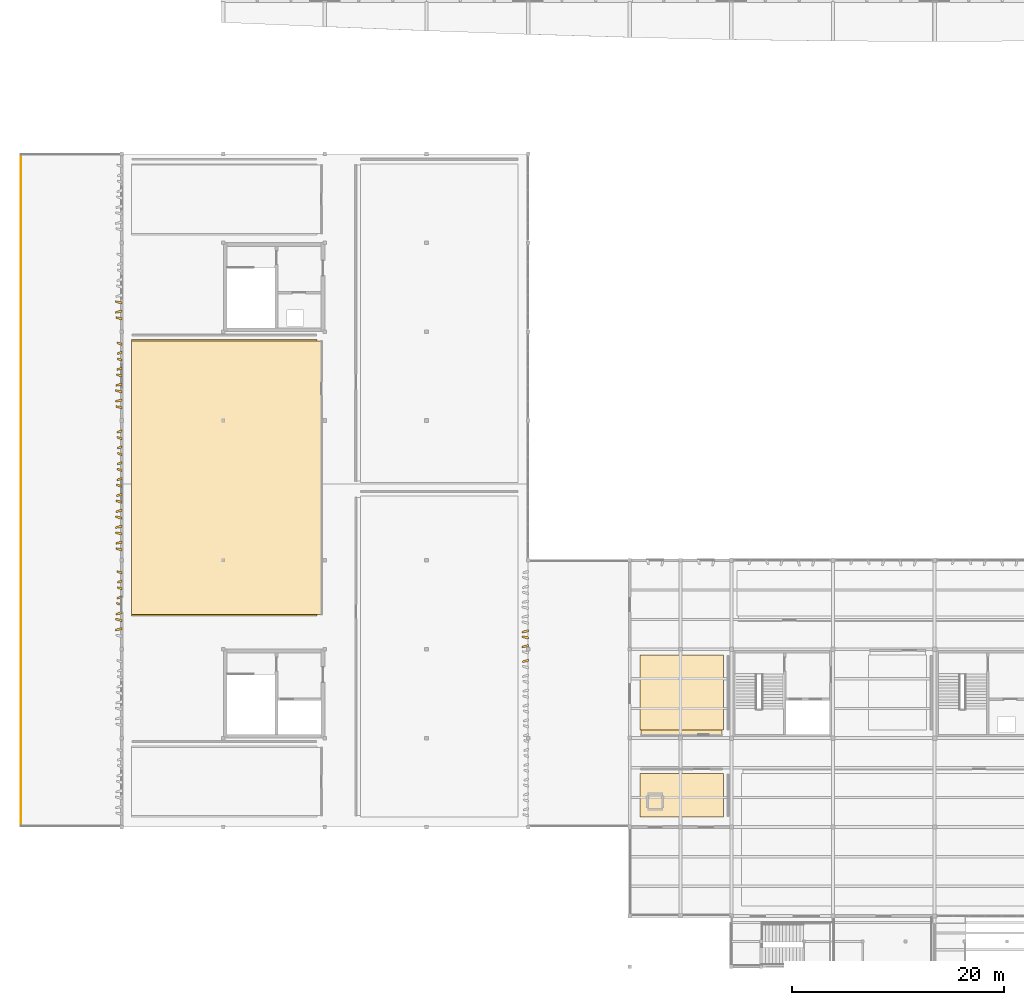
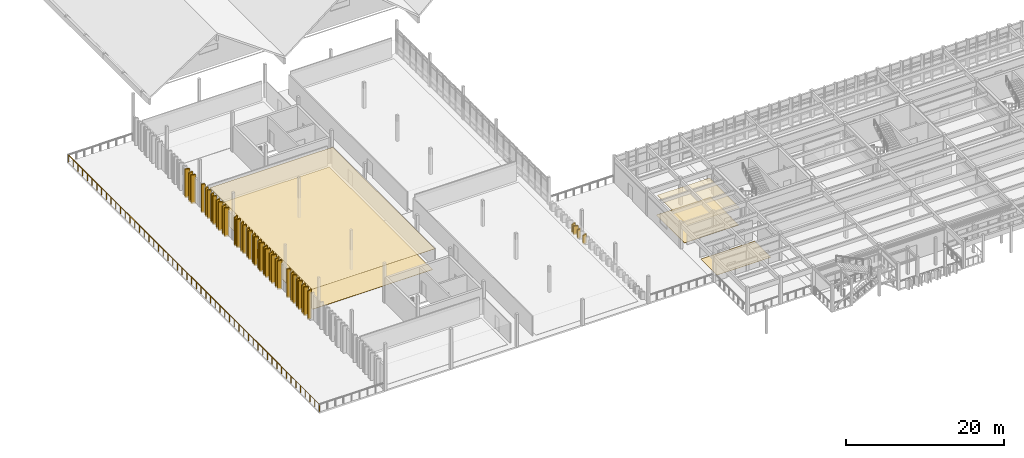
# One storey, part 36 of 42: 45 coverings, 1 railing.
"""IFC4 building model written with IfcOpenShell, lengths in metres."""

from ifc_helpers import new_model, si_unit, direction, frame, origin, origin_2d, place, context, subcontext, project, spatial, polyline, circle, outline, extrude, material, layer, layer_set, type_object, element, save


model = new_model("IFC4")

# Units and contexts
model_context = context("Model", 3, precision=1e-05, world=origin(), true_north=direction((0.0, 1.0)))
body_context = subcontext(model_context, "Body", "Model", "MODEL_VIEW")
ifc_project = project(units=[si_unit("LENGTHUNIT", "METRE"), si_unit("AREAUNIT", "SQUARE_METRE"), si_unit("VOLUMEUNIT", "CUBIC_METRE"), si_unit("PLANEANGLEUNIT", "RADIAN"), si_unit("MASSUNIT", "GRAM", prefix="KILO")], contexts=[model_context])

# Site, building, storey
site_placement = place(None, origin())
site = spatial("IfcSite", under=ifc_project, at=site_placement, CompositionType="ELEMENT")
building_placement = place(site_placement, origin())
building = spatial("IfcBuilding", under=site, at=building_placement, Name="Kolvemor Railside Polytechnic", CompositionType="ELEMENT")
storey_placement = place(building_placement, frame((0.0, 0.0, 14.39990234375)))
storey = spatial("IfcBuildingStorey", under=building, at=storey_placement, Name="L03", CompositionType="ELEMENT", Elevation=14.39990234375)

# Coverings
ifc_material_1 = material(Name="Perforated acoustic mineral-fibre and timber-slat ceiling", Category="wood")
ifc_layer_1 = layer(ifc_material_1, 0.030029296875, Name="COV-CEIL-2")
ifc_layer_set_1 = layer_set([ifc_layer_1], Name="Perforated acoustic mineral-fibre and timber-slat ceiling")
covering_type_1 = type_object("IfcCoveringType", Name="COV-CEIL-2", PredefinedType="CEILING", material=ifc_layer_set_1)
covering_1_placement = place(storey_placement, frame((0.0, 0.0, 3.0)))
element("IfcCovering", 1, at=covering_1_placement, inside=storey, type_object=covering_type_1, Name="Faculty of Mechanical Engineering Suite Acoustic Ceiling", PredefinedType="CEILING", context=body_context, shape_type="SweptSolid", body=[
    extrude(outline(polyline([(58.679931640625, 21.919921875), (66.320068359375, 21.919921875), (66.320068359375, 29.449951171875), (58.679931640625, 29.449951171875), (58.679931640625, 21.919921875)])), origin(), (0.0, 0.0, 1.0), 0.030029296875),
])
ifc_material_2 = material(Name="Perforated acoustic mineral-fibre and timber-slat ceiling", Category="wood")
ifc_layer_2 = layer(ifc_material_2, 0.0400390625, Name="COV-CEIL-4")
ifc_layer_set_2 = layer_set([ifc_layer_2], Name="Perforated acoustic mineral-fibre and timber-slat ceiling")
covering_type_2 = type_object("IfcCoveringType", Name="COV-CEIL-4", PredefinedType="CEILING", material=ifc_layer_set_2)
covering_2_placement = place(storey_placement, frame((0.0, 0.0, 2.989990234375)))
element("IfcCovering", 2, at=covering_2_placement, inside=storey, type_object=covering_type_2, Name="Seminar Room 302 Acoustic Ceiling", PredefinedType="CEILING", context=body_context, shape_type="SweptSolid", body=[
    extrude(outline(polyline([(10.550048828125, 33.280029296875), (28.47998046875, 33.280029296875), (28.47998046875, 59.1201171875), (10.550048828125, 59.1201171875), (10.550048828125, 33.280029296875)])), origin(), (0.0, 0.0, 1.0), 0.0400390625),
])
ifc_material_3 = material(Name="Champagne-bronze PVDF-anodised marine aluminium 5052-H32", Category="aluminium")
ifc_layer_3 = layer(ifc_material_3, 0.179931640625, Name="COV-FIN-CHAMP")
ifc_layer_set_3 = layer_set([ifc_layer_3], Name="Champagne-bronze PVDF-anodised marine aluminium 5052-H32")
covering_type_3 = type_object("IfcCoveringType", Name="COV-FIN-CHAMP", PredefinedType="CLADDING", material=ifc_layer_set_3)
covering_3_placement = place(storey_placement, frame((0.0, 0.0, -0.219970703125)))
element("IfcCovering", 3, at=covering_3_placement, inside=storey, type_object=covering_type_3, Name="Pleated Solar Fin L03-0818", PredefinedType="CLADDING", context=body_context, shape_type="SweptSolid", body=[
    extrude(outline(polyline([(48.034912109375, 31.864990234375), (48.034912109375, 31.635009765625), (47.43505859375, 31.530029296875), (47.43505859375, 31.68994140625), (48.034912109375, 31.864990234375)])), origin(), (0.0, 0.0, 1.0), 1.3701171875),
])
covering_4_placement = place(storey_placement, frame((0.0, 0.0, -0.219970703125)))
element("IfcCovering", 4, at=covering_4_placement, inside=storey, type_object=covering_type_3, Name="Pleated Solar Fin L03-0819", PredefinedType="CLADDING", context=body_context, shape_type="SweptSolid", body=[
    extrude(outline(polyline([(48.034912109375, 31.1650390625), (48.034912109375, 30.93505859375), (47.43798828125, 31.110107421875), (47.43798828125, 31.27001953125), (48.034912109375, 31.1650390625)])), origin(), (0.0, 0.0, 1.0), 1.3701171875),
])
covering_5_placement = place(storey_placement, frame((0.0, 0.0, -0.219970703125)))
element("IfcCovering", 5, at=covering_5_placement, inside=storey, type_object=covering_type_3, Name="Pleated Solar Fin L03-0820", PredefinedType="CLADDING", context=body_context, shape_type="SweptSolid", body=[
    extrude(outline(polyline([(48.034912109375, 30.465087890625), (48.034912109375, 30.235107421875), (47.44189453125, 30.1298828125), (47.44189453125, 30.2900390625), (48.034912109375, 30.465087890625)])), origin(), (0.0, 0.0, 1.0), 1.3701171875),
])
covering_6_placement = place(storey_placement, frame((0.0, 0.0, -0.219970703125)))
element("IfcCovering", 6, at=covering_6_placement, inside=storey, type_object=covering_type_3, Name="Pleated Solar Fin L03-0822", PredefinedType="CLADDING", context=body_context, shape_type="SweptSolid", body=[
    extrude(outline(polyline([(48.034912109375, 29.06494140625), (48.034912109375, 28.8349609375), (47.4580078125, 28.72998046875), (47.4580078125, 28.889892578125), (48.034912109375, 29.06494140625)])), origin(), (0.0, 0.0, 1.0), 1.3701171875),
])
ifc_material_4 = material(Name="Sea-mist PVDF-anodised marine aluminium 5052-H32", Category="aluminium")
ifc_layer_4 = layer(ifc_material_4, 0.159912109375, Name="COV-FIN-MIST")
ifc_layer_set_4 = layer_set([ifc_layer_4], Name="Sea-mist PVDF-anodised marine aluminium 5052-H32")
covering_type_4 = type_object("IfcCoveringType", Name="COV-FIN-MIST", PredefinedType="CLADDING", material=ifc_layer_set_4)
covering_7_placement = place(storey_placement, frame((0.0, 0.0, -0.239990234375)))
element("IfcCovering", 7, at=covering_7_placement, inside=storey, type_object=covering_type_4, Name="Pleated Solar Fin L03-0131", PredefinedType="CLADDING", context=body_context, shape_type="SweptSolid", body=[
    extrude(outline(polyline([(9.635009765625, 31.8349609375), (9.635009765625, 32.06494140625), (9.035888671875, 31.889892578125), (9.035888671875, 31.72998046875), (9.635009765625, 31.8349609375)])), origin(), (0.0, 0.0, 1.0), 4.440185546875),
])
covering_8_placement = place(storey_placement, frame((0.0, 0.0, -0.239990234375)))
element("IfcCovering", 8, at=covering_8_placement, inside=storey, type_object=covering_type_4, Name="Pleated Solar Fin L03-0132", PredefinedType="CLADDING", context=body_context, shape_type="SweptSolid", body=[
    extrude(outline(polyline([(9.635009765625, 32.5849609375), (9.635009765625, 32.81494140625), (9.04296875, 32.919921875), (9.04296875, 32.760009765625), (9.635009765625, 32.5849609375)])), origin(), (0.0, 0.0, 1.0), 4.440185546875),
])
covering_9_placement = place(storey_placement, frame((0.0, 0.0, -0.239990234375)))
element("IfcCovering", 9, at=covering_9_placement, inside=storey, type_object=covering_type_4, Name="Pleated Solar Fin L03-0133", PredefinedType="CLADDING", context=body_context, shape_type="SweptSolid", body=[
    extrude(outline(polyline([(9.635009765625, 33.3349609375), (9.635009765625, 33.56494140625), (9.072021484375, 33.389892578125), (9.072021484375, 33.22998046875), (9.635009765625, 33.3349609375)])), origin(), (0.0, 0.0, 1.0), 4.440185546875),
])
covering_10_placement = place(storey_placement, frame((0.0, 0.0, -0.239990234375)))
element("IfcCovering", 10, at=covering_10_placement, inside=storey, type_object=covering_type_4, Name="Pleated Solar Fin L03-0134", PredefinedType="CLADDING", context=body_context, shape_type="SweptSolid", body=[
    extrude(outline(polyline([(9.635009765625, 34.0849609375), (9.635009765625, 34.31494140625), (9.114990234375, 34.419921875), (9.114990234375, 34.260009765625), (9.635009765625, 34.0849609375)])), origin(), (0.0, 0.0, 1.0), 4.440185546875),
])
covering_11_placement = place(storey_placement, frame((0.0, 0.0, -0.239990234375)))
element("IfcCovering", 11, at=covering_11_placement, inside=storey, type_object=covering_type_4, Name="Pleated Solar Fin L03-0135", PredefinedType="CLADDING", context=body_context, shape_type="SweptSolid", body=[
    extrude(outline(polyline([(9.635009765625, 34.8349609375), (9.635009765625, 35.06494140625), (9.157958984375, 34.889892578125), (9.157958984375, 34.72998046875), (9.635009765625, 34.8349609375)])), origin(), (0.0, 0.0, 1.0), 4.440185546875),
])
covering_12_placement = place(storey_placement, frame((0.0, 0.0, -0.239990234375)))
element("IfcCovering", 12, at=covering_12_placement, inside=storey, type_object=covering_type_4, Name="Pleated Solar Fin L03-0136", PredefinedType="CLADDING", context=body_context, shape_type="SweptSolid", body=[
    extrude(outline(polyline([(9.635009765625, 35.5849609375), (9.635009765625, 35.81494140625), (9.18701171875, 35.919921875), (9.18701171875, 35.760009765625), (9.635009765625, 35.5849609375)])), origin(), (0.0, 0.0, 1.0), 4.440185546875),
])
covering_13_placement = place(storey_placement, frame((0.0, 0.0, -0.239990234375)))
element("IfcCovering", 13, at=covering_13_placement, inside=storey, type_object=covering_type_4, Name="Pleated Solar Fin L03-0137", PredefinedType="CLADDING", context=body_context, shape_type="SweptSolid", body=[
    extrude(outline(polyline([(9.635009765625, 36.3349609375), (9.635009765625, 36.56494140625), (9.194091796875, 36.389892578125), (9.194091796875, 36.22998046875), (9.635009765625, 36.3349609375)])), origin(), (0.0, 0.0, 1.0), 4.440185546875),
])
covering_14_placement = place(storey_placement, frame((0.0, 0.0, -0.239990234375)))
element("IfcCovering", 14, at=covering_14_placement, inside=storey, type_object=covering_type_4, Name="Pleated Solar Fin L03-0138", PredefinedType="CLADDING", context=body_context, shape_type="SweptSolid", body=[
    extrude(outline(polyline([(9.635009765625, 37.0849609375), (9.635009765625, 37.31494140625), (9.177978515625, 37.419921875), (9.177978515625, 37.260009765625), (9.635009765625, 37.0849609375)])), origin(), (0.0, 0.0, 1.0), 4.440185546875),
])
covering_15_placement = place(storey_placement, frame((0.0, 0.0, -0.239990234375)))
element("IfcCovering", 15, at=covering_15_placement, inside=storey, type_object=covering_type_4, Name="Pleated Solar Fin L03-0163", PredefinedType="CLADDING", context=body_context, shape_type="SweptSolid", body=[
    extrude(outline(polyline([(9.635009765625, 39.260009765625), (9.635009765625, 39.489990234375), (9.0791015625, 39.594970703125), (9.0791015625, 39.43505859375), (9.635009765625, 39.260009765625)])), origin(), (0.0, 0.0, 1.0), 4.440185546875),
])
covering_16_placement = place(storey_placement, frame((0.0, 0.0, -0.239990234375)))
element("IfcCovering", 16, at=covering_16_placement, inside=storey, type_object=covering_type_4, Name="Pleated Solar Fin L03-0164", PredefinedType="CLADDING", context=body_context, shape_type="SweptSolid", body=[
    extrude(outline(polyline([(9.635009765625, 40.010009765625), (9.635009765625, 40.239990234375), (9.055908203125, 40.06494140625), (9.055908203125, 39.905029296875), (9.635009765625, 40.010009765625)])), origin(), (0.0, 0.0, 1.0), 4.440185546875),
])
covering_17_placement = place(storey_placement, frame((0.0, 0.0, -0.239990234375)))
element("IfcCovering", 17, at=covering_17_placement, inside=storey, type_object=covering_type_4, Name="Pleated Solar Fin L03-0165", PredefinedType="CLADDING", context=body_context, shape_type="SweptSolid", body=[
    extrude(outline(polyline([(9.635009765625, 40.760009765625), (9.635009765625, 40.989990234375), (9.041015625, 41.094970703125), (9.041015625, 40.93505859375), (9.635009765625, 40.760009765625)])), origin(), (0.0, 0.0, 1.0), 4.440185546875),
])
covering_18_placement = place(storey_placement, frame((0.0, 0.0, -0.239990234375)))
element("IfcCovering", 18, at=covering_18_placement, inside=storey, type_object=covering_type_4, Name="Pleated Solar Fin L03-0166", PredefinedType="CLADDING", context=body_context, shape_type="SweptSolid", body=[
    extrude(outline(polyline([(9.635009765625, 41.510009765625), (9.635009765625, 41.739990234375), (9.034912109375, 41.56494140625), (9.034912109375, 41.405029296875), (9.635009765625, 41.510009765625)])), origin(), (0.0, 0.0, 1.0), 4.440185546875),
])
covering_19_placement = place(storey_placement, frame((0.0, 0.0, -0.239990234375)))
element("IfcCovering", 19, at=covering_19_placement, inside=storey, type_object=covering_type_4, Name="Pleated Solar Fin L03-0167", PredefinedType="CLADDING", context=body_context, shape_type="SweptSolid", body=[
    extrude(outline(polyline([(9.635009765625, 42.260009765625), (9.635009765625, 42.489990234375), (9.0390625, 42.594970703125), (9.0390625, 42.43505859375), (9.635009765625, 42.260009765625)])), origin(), (0.0, 0.0, 1.0), 4.440185546875),
])
covering_20_placement = place(storey_placement, frame((0.0, 0.0, -0.239990234375)))
element("IfcCovering", 20, at=covering_20_placement, inside=storey, type_object=covering_type_4, Name="Pleated Solar Fin L03-0168", PredefinedType="CLADDING", context=body_context, shape_type="SweptSolid", body=[
    extrude(outline(polyline([(9.635009765625, 43.010009765625), (9.635009765625, 43.239990234375), (9.052978515625, 43.06494140625), (9.052978515625, 42.905029296875), (9.635009765625, 43.010009765625)])), origin(), (0.0, 0.0, 1.0), 4.440185546875),
])
covering_21_placement = place(storey_placement, frame((0.0, 0.0, -0.239990234375)))
element("IfcCovering", 21, at=covering_21_placement, inside=storey, type_object=covering_type_4, Name="Pleated Solar Fin L03-0169", PredefinedType="CLADDING", context=body_context, shape_type="SweptSolid", body=[
    extrude(outline(polyline([(9.635009765625, 43.760009765625), (9.635009765625, 43.989990234375), (9.073974609375, 44.094970703125), (9.073974609375, 43.93505859375), (9.635009765625, 43.760009765625)])), origin(), (0.0, 0.0, 1.0), 4.440185546875),
])
covering_22_placement = place(storey_placement, frame((0.0, 0.0, -0.239990234375)))
element("IfcCovering", 22, at=covering_22_placement, inside=storey, type_object=covering_type_4, Name="Pleated Solar Fin L03-0170", PredefinedType="CLADDING", context=body_context, shape_type="SweptSolid", body=[
    extrude(outline(polyline([(9.635009765625, 44.510009765625), (9.635009765625, 44.739990234375), (9.10107421875, 44.56494140625), (9.10107421875, 44.405029296875), (9.635009765625, 44.510009765625)])), origin(), (0.0, 0.0, 1.0), 4.440185546875),
])
covering_23_placement = place(storey_placement, frame((0.0, 0.0, -0.239990234375)))
element("IfcCovering", 23, at=covering_23_placement, inside=storey, type_object=covering_type_4, Name="Pleated Solar Fin L03-0171", PredefinedType="CLADDING", context=body_context, shape_type="SweptSolid", body=[
    extrude(outline(polyline([(9.635009765625, 45.260009765625), (9.635009765625, 45.489990234375), (9.12890625, 45.594970703125), (9.12890625, 45.43505859375), (9.635009765625, 45.260009765625)])), origin(), (0.0, 0.0, 1.0), 4.440185546875),
])
covering_24_placement = place(storey_placement, frame((0.0, 0.0, -0.239990234375)))
element("IfcCovering", 24, at=covering_24_placement, inside=storey, type_object=covering_type_4, Name="Pleated Solar Fin L03-0172", PredefinedType="CLADDING", context=body_context, shape_type="SweptSolid", body=[
    extrude(outline(polyline([(9.635009765625, 46.010009765625), (9.635009765625, 46.239990234375), (9.156005859375, 46.06494140625), (9.156005859375, 45.905029296875), (9.635009765625, 46.010009765625)])), origin(), (0.0, 0.0, 1.0), 4.440185546875),
])
covering_25_placement = place(storey_placement, frame((0.0, 0.0, -0.239990234375)))
element("IfcCovering", 25, at=covering_25_placement, inside=storey, type_object=covering_type_4, Name="Pleated Solar Fin L03-0173", PredefinedType="CLADDING", context=body_context, shape_type="SweptSolid", body=[
    extrude(outline(polyline([(9.635009765625, 46.760009765625), (9.635009765625, 46.989990234375), (9.177001953125, 47.094970703125), (9.177001953125, 46.93505859375), (9.635009765625, 46.760009765625)])), origin(), (0.0, 0.0, 1.0), 4.440185546875),
])
covering_26_placement = place(storey_placement, frame((0.0, 0.0, -0.239990234375)))
element("IfcCovering", 26, at=covering_26_placement, inside=storey, type_object=covering_type_4, Name="Pleated Solar Fin L03-0174", PredefinedType="CLADDING", context=body_context, shape_type="SweptSolid", body=[
    extrude(outline(polyline([(9.635009765625, 47.510009765625), (9.635009765625, 47.739990234375), (9.19091796875, 47.56494140625), (9.19091796875, 47.405029296875), (9.635009765625, 47.510009765625)])), origin(), (0.0, 0.0, 1.0), 4.440185546875),
])
covering_27_placement = place(storey_placement, frame((0.0, 0.0, -0.239990234375)))
element("IfcCovering", 27, at=covering_27_placement, inside=storey, type_object=covering_type_4, Name="Pleated Solar Fin L03-0175", PredefinedType="CLADDING", context=body_context, shape_type="SweptSolid", body=[
    extrude(outline(polyline([(9.635009765625, 48.260009765625), (9.635009765625, 48.489990234375), (9.195068359375, 48.594970703125), (9.195068359375, 48.43505859375), (9.635009765625, 48.260009765625)])), origin(), (0.0, 0.0, 1.0), 4.440185546875),
])
covering_28_placement = place(storey_placement, frame((0.0, 0.0, -0.239990234375)))
element("IfcCovering", 28, at=covering_28_placement, inside=storey, type_object=covering_type_4, Name="Pleated Solar Fin L03-0176", PredefinedType="CLADDING", context=body_context, shape_type="SweptSolid", body=[
    extrude(outline(polyline([(9.635009765625, 49.010009765625), (9.635009765625, 49.239990234375), (9.18896484375, 49.06494140625), (9.18896484375, 48.905029296875), (9.635009765625, 49.010009765625)])), origin(), (0.0, 0.0, 1.0), 4.440185546875),
])
covering_29_placement = place(storey_placement, frame((0.0, 0.0, -0.239990234375)))
element("IfcCovering", 29, at=covering_29_placement, inside=storey, type_object=covering_type_4, Name="Pleated Solar Fin L03-0177", PredefinedType="CLADDING", context=body_context, shape_type="SweptSolid", body=[
    extrude(outline(polyline([(9.635009765625, 49.760009765625), (9.635009765625, 49.989990234375), (9.174072265625, 50.094970703125), (9.174072265625, 49.93505859375), (9.635009765625, 49.760009765625)])), origin(), (0.0, 0.0, 1.0), 4.440185546875),
])
covering_30_placement = place(storey_placement, frame((0.0, 0.0, -0.239990234375)))
element("IfcCovering", 30, at=covering_30_placement, inside=storey, type_object=covering_type_4, Name="Pleated Solar Fin L03-0178", PredefinedType="CLADDING", context=body_context, shape_type="SweptSolid", body=[
    extrude(outline(polyline([(9.635009765625, 50.510009765625), (9.635009765625, 50.739990234375), (9.15087890625, 50.56494140625), (9.15087890625, 50.405029296875), (9.635009765625, 50.510009765625)])), origin(), (0.0, 0.0, 1.0), 4.440185546875),
])
covering_31_placement = place(storey_placement, frame((0.0, 0.0, -0.239990234375)))
element("IfcCovering", 31, at=covering_31_placement, inside=storey, type_object=covering_type_4, Name="Pleated Solar Fin L03-0203", PredefinedType="CLADDING", context=body_context, shape_type="SweptSolid", body=[
    extrude(outline(polyline([(9.635009765625, 52.68505859375), (9.635009765625, 52.9150390625), (9.052001953125, 53.02001953125), (9.052001953125, 52.860107421875), (9.635009765625, 52.68505859375)])), origin(), (0.0, 0.0, 1.0), 4.440185546875),
])
covering_32_placement = place(storey_placement, frame((0.0, 0.0, -0.239990234375)))
element("IfcCovering", 32, at=covering_32_placement, inside=storey, type_object=covering_type_4, Name="Pleated Solar Fin L03-0204", PredefinedType="CLADDING", context=body_context, shape_type="SweptSolid", body=[
    extrude(outline(polyline([(9.635009765625, 53.43505859375), (9.635009765625, 53.6650390625), (9.035888671875, 53.489990234375), (9.035888671875, 53.330078125), (9.635009765625, 53.43505859375)])), origin(), (0.0, 0.0, 1.0), 4.440185546875),
])
covering_33_placement = place(storey_placement, frame((0.0, 0.0, -0.239990234375)))
element("IfcCovering", 33, at=covering_33_placement, inside=storey, type_object=covering_type_4, Name="Pleated Solar Fin L03-0205", PredefinedType="CLADDING", context=body_context, shape_type="SweptSolid", body=[
    extrude(outline(polyline([(9.635009765625, 54.18505859375), (9.635009765625, 54.4150390625), (9.04296875, 54.52001953125), (9.04296875, 54.360107421875), (9.635009765625, 54.18505859375)])), origin(), (0.0, 0.0, 1.0), 4.440185546875),
])
covering_34_placement = place(storey_placement, frame((0.0, 0.0, -0.239990234375)))
element("IfcCovering", 34, at=covering_34_placement, inside=storey, type_object=covering_type_4, Name="Pleated Solar Fin L03-0206", PredefinedType="CLADDING", context=body_context, shape_type="SweptSolid", body=[
    extrude(outline(polyline([(9.635009765625, 54.93505859375), (9.635009765625, 55.1650390625), (9.072021484375, 54.989990234375), (9.072021484375, 54.830078125), (9.635009765625, 54.93505859375)])), origin(), (0.0, 0.0, 1.0), 4.440185546875),
])
covering_35_placement = place(storey_placement, frame((0.0, 0.0, -0.239990234375)))
element("IfcCovering", 35, at=covering_35_placement, inside=storey, type_object=covering_type_4, Name="Pleated Solar Fin L03-0207", PredefinedType="CLADDING", context=body_context, shape_type="SweptSolid", body=[
    extrude(outline(polyline([(9.635009765625, 55.68505859375), (9.635009765625, 55.9150390625), (9.114990234375, 56.02001953125), (9.114990234375, 55.860107421875), (9.635009765625, 55.68505859375)])), origin(), (0.0, 0.0, 1.0), 4.440185546875),
])
covering_36_placement = place(storey_placement, frame((0.0, 0.0, -0.239990234375)))
element("IfcCovering", 36, at=covering_36_placement, inside=storey, type_object=covering_type_4, Name="Pleated Solar Fin L03-0208", PredefinedType="CLADDING", context=body_context, shape_type="SweptSolid", body=[
    extrude(outline(polyline([(9.635009765625, 56.43505859375), (9.635009765625, 56.6650390625), (9.157958984375, 56.489990234375), (9.157958984375, 56.330078125), (9.635009765625, 56.43505859375)])), origin(), (0.0, 0.0, 1.0), 4.440185546875),
])
covering_37_placement = place(storey_placement, frame((0.0, 0.0, -0.239990234375)))
element("IfcCovering", 37, at=covering_37_placement, inside=storey, type_object=covering_type_4, Name="Pleated Solar Fin L03-0209", PredefinedType="CLADDING", context=body_context, shape_type="SweptSolid", body=[
    extrude(outline(polyline([(9.635009765625, 57.18505859375), (9.635009765625, 57.4150390625), (9.18701171875, 57.52001953125), (9.18701171875, 57.360107421875), (9.635009765625, 57.18505859375)])), origin(), (0.0, 0.0, 1.0), 4.440185546875),
])
covering_38_placement = place(storey_placement, frame((0.0, 0.0, -0.239990234375)))
element("IfcCovering", 38, at=covering_38_placement, inside=storey, type_object=covering_type_4, Name="Pleated Solar Fin L03-0210", PredefinedType="CLADDING", context=body_context, shape_type="SweptSolid", body=[
    extrude(outline(polyline([(9.635009765625, 57.93505859375), (9.635009765625, 58.1650390625), (9.194091796875, 57.989990234375), (9.194091796875, 57.830078125), (9.635009765625, 57.93505859375)])), origin(), (0.0, 0.0, 1.0), 4.440185546875),
])
covering_39_placement = place(storey_placement, frame((0.0, 0.0, -0.239990234375)))
element("IfcCovering", 39, at=covering_39_placement, inside=storey, type_object=covering_type_4, Name="Pleated Solar Fin L03-0211", PredefinedType="CLADDING", context=body_context, shape_type="SweptSolid", body=[
    extrude(outline(polyline([(9.635009765625, 58.68505859375), (9.635009765625, 58.9150390625), (9.177978515625, 59.02001953125), (9.177978515625, 58.860107421875), (9.635009765625, 58.68505859375)])), origin(), (0.0, 0.0, 1.0), 4.440185546875),
])
covering_40_placement = place(storey_placement, frame((0.0, 0.0, -0.239990234375)))
element("IfcCovering", 40, at=covering_40_placement, inside=storey, type_object=covering_type_4, Name="Pleated Solar Fin L03-0228", PredefinedType="CLADDING", context=body_context, shape_type="SweptSolid", body=[
    extrude(outline(polyline([(9.635009765625, 61.0849609375), (9.635009765625, 61.31494140625), (9.052001953125, 61.419921875), (9.052001953125, 61.260009765625), (9.635009765625, 61.0849609375)])), origin(), (0.0, 0.0, 1.0), 4.440185546875),
])
covering_41_placement = place(storey_placement, frame((0.0, 0.0, -0.239990234375)))
element("IfcCovering", 41, at=covering_41_placement, inside=storey, type_object=covering_type_4, Name="Pleated Solar Fin L03-0229", PredefinedType="CLADDING", context=body_context, shape_type="SweptSolid", body=[
    extrude(outline(polyline([(9.635009765625, 61.8349609375), (9.635009765625, 62.06494140625), (9.035888671875, 61.889892578125), (9.035888671875, 61.72998046875), (9.635009765625, 61.8349609375)])), origin(), (0.0, 0.0, 1.0), 4.440185546875),
])
covering_42_placement = place(storey_placement, frame((0.0, 0.0, -0.239990234375)))
element("IfcCovering", 42, at=covering_42_placement, inside=storey, type_object=covering_type_4, Name="Pleated Solar Fin L03-0230", PredefinedType="CLADDING", context=body_context, shape_type="SweptSolid", body=[
    extrude(outline(polyline([(9.635009765625, 62.5849609375), (9.635009765625, 62.81494140625), (9.04296875, 62.919921875), (9.04296875, 62.760009765625), (9.635009765625, 62.5849609375)])), origin(), (0.0, 0.0, 1.0), 4.440185546875),
])
ifc_material_5 = material(Name="Polished coral-aggregate terrazzo and laboratory epoxy flooring")
ifc_layer_5 = layer(ifc_material_5, 0.02490234375, Name="COV-FLR-2")
ifc_layer_set_5 = layer_set([ifc_layer_5], Name="Polished coral-aggregate terrazzo and laboratory epoxy flooring")
covering_type_5 = type_object("IfcCoveringType", Name="COV-FLR-2", PredefinedType="FLOORING", material=ifc_layer_set_5)
covering_43_placement = place(storey_placement, origin())
element("IfcCovering", 43, at=covering_43_placement, inside=storey, type_object=covering_type_5, Name="Faculty of Mechanical Engineering Suite Floor Finish", PredefinedType="FLOORING", context=body_context, shape_type="SweptSolid", body=[
    extrude(outline(polyline([(58.550048828125, 22.35009765625), (66.449951171875, 22.35009765625), (66.449951171875, 29.449951171875), (58.550048828125, 29.449951171875), (58.550048828125, 22.35009765625)])), origin(), (0.0, 0.0, 1.0), 0.025146484375),
])
ifc_material_6 = material(Name="Polished coral-aggregate terrazzo and laboratory epoxy flooring")
ifc_layer_6 = layer(ifc_material_6, 0.034912109375, Name="COV-FLR-4")
ifc_layer_set_6 = layer_set([ifc_layer_6], Name="Polished coral-aggregate terrazzo and laboratory epoxy flooring")
covering_type_6 = type_object("IfcCoveringType", Name="COV-FLR-4", PredefinedType="FLOORING", material=ifc_layer_set_6)
covering_44_placement = place(storey_placement, origin())
element("IfcCovering", 44, at=covering_44_placement, inside=storey, type_object=covering_type_6, Name="Seminar Room 302 Floor Finish", PredefinedType="FLOORING", context=body_context, shape_type="SweptSolid", body=[
    extrude(outline(polyline([(10.550048828125, 33.14990234375), (28.050048828125, 33.14990234375), (28.050048828125, 59.25), (10.550048828125, 59.25), (10.550048828125, 33.14990234375)])), origin(), (0.0, 0.0, 1.0), 0.03515625),
])
covering_45_placement = place(storey_placement, origin())
element("IfcCovering", 45, at=covering_45_placement, inside=storey, type_object=covering_type_6, Name="Studio Plotter and Model Archive Store Floor Finish", PredefinedType="FLOORING", context=body_context, shape_type="SweptSolid", body=[
    extrude(outline(polyline([(58.550048828125, 14.14990234375), (66.449951171875, 14.14990234375), (66.449951171875, 18.25), (58.550048828125, 18.25), (58.550048828125, 14.14990234375)])), origin(), (0.0, 0.0, 1.0), 0.03515625),
])

# Railing
ifc_material_7 = material(Name="AISI 316 marine stainless-steel balustrade guard", Category="steel")
railing_type = type_object("IfcRailingType", Name="RLG-GUARD-1120", PredefinedType="BALUSTRADE", material=ifc_material_7)
railing_placement = place(storey_placement, frame((0.080078125, 76.719970703125, 0.0)))
element("IfcRailing", 46, at=railing_placement, inside=storey, type_object=railing_type, Name="Corner Study Terrace V3-W W Guard GR-059", PredefinedType="BALUSTRADE", context=body_context, shape_type="SweptSolid", body=[
    extrude(circle(Radius=0.02392578125, at=origin_2d()), frame((0.0, -0.054931640625, 1.09619140625), z_axis=(0.0, -1.0, 0.0), x_axis=(1.0, 0.0, 0.0)), (0.0, 0.0, 1.0), 63.329833984375),
    extrude(circle(Radius=0.02099609375, at=origin_2d()), origin(), (0.0, 0.0, 1.0), 1.05712890625),
    extrude(circle(Radius=0.02099609375, at=origin_2d()), frame((0.0, -1.197021484375, 0.0)), (0.0, 0.0, 1.0), 1.05712890625),
    extrude(circle(Radius=0.02099609375, at=origin_2d()), frame((0.0, -2.39404296875, 0.0)), (0.0, 0.0, 1.0), 1.05712890625),
    extrude(circle(Radius=0.02099609375, at=origin_2d()), frame((0.0, -3.5908203125, 0.0)), (0.0, 0.0, 1.0), 1.05712890625),
    extrude(circle(Radius=0.02099609375, at=origin_2d()), frame((0.0, -4.787841796875, 0.0)), (0.0, 0.0, 1.0), 1.05712890625),
    extrude(circle(Radius=0.02099609375, at=origin_2d()), frame((0.0, -5.98486328125, 0.0)), (0.0, 0.0, 1.0), 1.05712890625),
    extrude(circle(Radius=0.02099609375, at=origin_2d()), frame((0.0, -7.181884765625, 0.0)), (0.0, 0.0, 1.0), 1.05712890625),
    extrude(circle(Radius=0.02099609375, at=origin_2d()), frame((0.0, -8.37890625, 0.0)), (0.0, 0.0, 1.0), 1.05712890625),
    extrude(circle(Radius=0.02099609375, at=origin_2d()), frame((0.0, -9.575927734375, 0.0)), (0.0, 0.0, 1.0), 1.05712890625),
    extrude(circle(Radius=0.02099609375, at=origin_2d()), frame((0.0, -10.772705078125, 0.0)), (0.0, 0.0, 1.0), 1.05712890625),
    extrude(circle(Radius=0.02099609375, at=origin_2d()), frame((0.0, -11.9697265625, 0.0)), (0.0, 0.0, 1.0), 1.05712890625),
    extrude(circle(Radius=0.02099609375, at=origin_2d()), frame((0.0, -13.166748046875, 0.0)), (0.0, 0.0, 1.0), 1.05712890625),
    extrude(circle(Radius=0.02099609375, at=origin_2d()), frame((0.0, -14.36376953125, 0.0)), (0.0, 0.0, 1.0), 1.05712890625),
    extrude(circle(Radius=0.02099609375, at=origin_2d()), frame((0.0, -15.560791015625, 0.0)), (0.0, 0.0, 1.0), 1.05712890625),
    extrude(circle(Radius=0.02099609375, at=origin_2d()), frame((0.0, -16.7578125, 0.0)), (0.0, 0.0, 1.0), 1.05712890625),
    extrude(circle(Radius=0.02099609375, at=origin_2d()), frame((0.0, -17.95458984375, 0.0)), (0.0, 0.0, 1.0), 1.05712890625),
    extrude(circle(Radius=0.02099609375, at=origin_2d()), frame((0.0, -19.151611328125, 0.0)), (0.0, 0.0, 1.0), 1.05712890625),
    extrude(circle(Radius=0.02099609375, at=origin_2d()), frame((0.0, -20.3486328125, 0.0)), (0.0, 0.0, 1.0), 1.05712890625),
    extrude(circle(Radius=0.02099609375, at=origin_2d()), frame((0.0, -21.545654296875, 0.0)), (0.0, 0.0, 1.0), 1.05712890625),
    extrude(circle(Radius=0.02099609375, at=origin_2d()), frame((0.0, -22.74267578125, 0.0)), (0.0, 0.0, 1.0), 1.05712890625),
    extrude(circle(Radius=0.02099609375, at=origin_2d()), frame((0.0, -23.939697265625, 0.0)), (0.0, 0.0, 1.0), 1.05712890625),
    extrude(circle(Radius=0.02099609375, at=origin_2d()), frame((0.0, -25.136474609375, 0.0)), (0.0, 0.0, 1.0), 1.05712890625),
    extrude(circle(Radius=0.02099609375, at=origin_2d()), frame((0.0, -26.33349609375, 0.0)), (0.0, 0.0, 1.0), 1.05712890625),
    extrude(circle(Radius=0.02099609375, at=origin_2d()), frame((0.0, -27.530517578125, 0.0)), (0.0, 0.0, 1.0), 1.05712890625),
    extrude(circle(Radius=0.02099609375, at=origin_2d()), frame((0.0, -28.7275390625, 0.0)), (0.0, 0.0, 1.0), 1.05712890625),
    extrude(circle(Radius=0.02099609375, at=origin_2d()), frame((0.0, -29.924560546875, 0.0)), (0.0, 0.0, 1.0), 1.05712890625),
    extrude(circle(Radius=0.02099609375, at=origin_2d()), frame((0.0, -31.12158203125, 0.0)), (0.0, 0.0, 1.0), 1.05712890625),
    extrude(circle(Radius=0.02099609375, at=origin_2d()), frame((0.0, -32.318359375, 0.0)), (0.0, 0.0, 1.0), 1.05712890625),
    extrude(circle(Radius=0.02099609375, at=origin_2d()), frame((0.0, -33.515380859375, 0.0)), (0.0, 0.0, 1.0), 1.05712890625),
    extrude(circle(Radius=0.02099609375, at=origin_2d()), frame((0.0, -34.71240234375, 0.0)), (0.0, 0.0, 1.0), 1.05712890625),
    extrude(circle(Radius=0.02099609375, at=origin_2d()), frame((0.0, -35.909423828125, 0.0)), (0.0, 0.0, 1.0), 1.05712890625),
    extrude(circle(Radius=0.02099609375, at=origin_2d()), frame((0.0, -37.1064453125, 0.0)), (0.0, 0.0, 1.0), 1.05712890625),
    extrude(circle(Radius=0.02099609375, at=origin_2d()), frame((0.0, -38.303466796875, 0.0)), (0.0, 0.0, 1.0), 1.05712890625),
    extrude(circle(Radius=0.02099609375, at=origin_2d()), frame((0.0, -39.500244140625, 0.0)), (0.0, 0.0, 1.0), 1.05712890625),
    extrude(circle(Radius=0.02099609375, at=origin_2d()), frame((0.0, -40.697265625, 0.0)), (0.0, 0.0, 1.0), 1.05712890625),
    extrude(circle(Radius=0.02099609375, at=origin_2d()), frame((0.0, -41.894287109375, 0.0)), (0.0, 0.0, 1.0), 1.05712890625),
    extrude(circle(Radius=0.02099609375, at=origin_2d()), frame((0.0, -43.09130859375, 0.0)), (0.0, 0.0, 1.0), 1.05712890625),
    extrude(circle(Radius=0.02099609375, at=origin_2d()), frame((0.0, -44.288330078125, 0.0)), (0.0, 0.0, 1.0), 1.05712890625),
    extrude(circle(Radius=0.02099609375, at=origin_2d()), frame((0.0, -45.4853515625, 0.0)), (0.0, 0.0, 1.0), 1.05712890625),
    extrude(circle(Radius=0.02099609375, at=origin_2d()), frame((0.0, -46.68212890625, 0.0)), (0.0, 0.0, 1.0), 1.05712890625),
    extrude(circle(Radius=0.02099609375, at=origin_2d()), frame((0.0, -47.879150390625, 0.0)), (0.0, 0.0, 1.0), 1.05712890625),
    extrude(circle(Radius=0.02099609375, at=origin_2d()), frame((0.0, -49.076171875, 0.0)), (0.0, 0.0, 1.0), 1.05712890625),
    extrude(circle(Radius=0.02099609375, at=origin_2d()), frame((0.0, -50.273193359375, 0.0)), (0.0, 0.0, 1.0), 1.05712890625),
    extrude(circle(Radius=0.02099609375, at=origin_2d()), frame((0.0, -51.47021484375, 0.0)), (0.0, 0.0, 1.0), 1.05712890625),
    extrude(circle(Radius=0.02099609375, at=origin_2d()), frame((0.0, -52.667236328125, 0.0)), (0.0, 0.0, 1.0), 1.05712890625),
    extrude(circle(Radius=0.02099609375, at=origin_2d()), frame((0.0, -53.864013671875, 0.0)), (0.0, 0.0, 1.0), 1.05712890625),
    extrude(circle(Radius=0.02099609375, at=origin_2d()), frame((0.0, -55.06103515625, 0.0)), (0.0, 0.0, 1.0), 1.05712890625),
    extrude(circle(Radius=0.02099609375, at=origin_2d()), frame((0.0, -56.258056640625, 0.0)), (0.0, 0.0, 1.0), 1.05712890625),
    extrude(circle(Radius=0.02099609375, at=origin_2d()), frame((0.0, -57.455078125, 0.0)), (0.0, 0.0, 1.0), 1.05712890625),
    extrude(circle(Radius=0.02099609375, at=origin_2d()), frame((0.0, -58.652099609375, 0.0)), (0.0, 0.0, 1.0), 1.05712890625),
    extrude(circle(Radius=0.02099609375, at=origin_2d()), frame((0.0, -59.84912109375, 0.0)), (0.0, 0.0, 1.0), 1.05712890625),
    extrude(circle(Radius=0.02099609375, at=origin_2d()), frame((0.0, -61.0458984375, 0.0)), (0.0, 0.0, 1.0), 1.05712890625),
    extrude(circle(Radius=0.02099609375, at=origin_2d()), frame((0.0, -62.242919921875, 0.0)), (0.0, 0.0, 1.0), 1.05712890625),
    extrude(circle(Radius=0.02099609375, at=origin_2d()), frame((0.0, -63.43994140625, 0.0)), (0.0, 0.0, 1.0), 1.05712890625),
])

save(model, "model.ifc")
